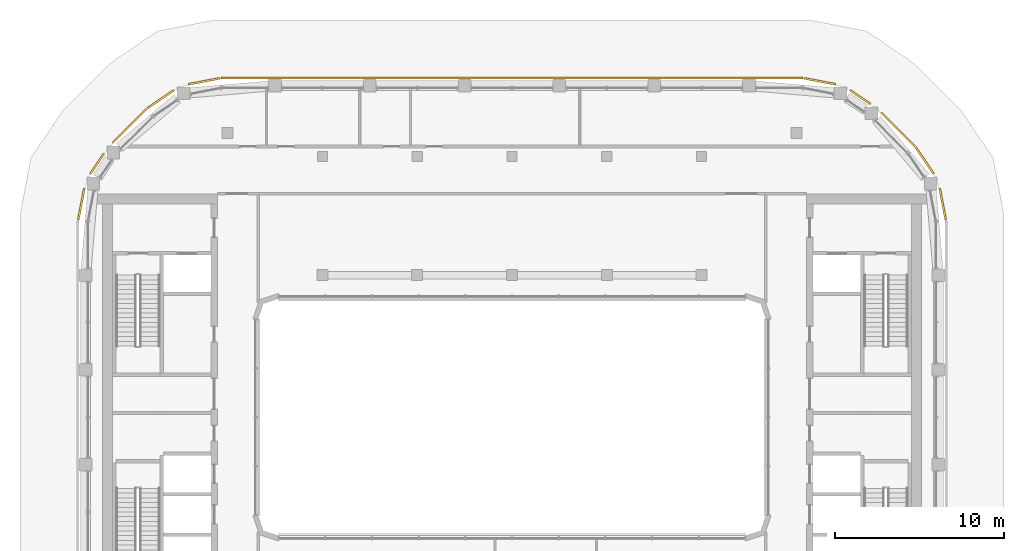
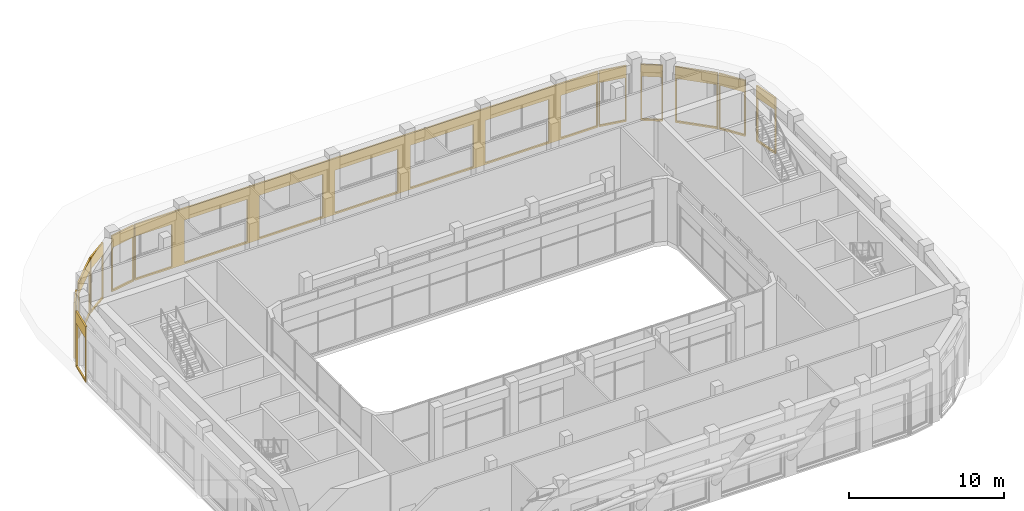
# One storey, part 24 of 24: 11 coverings.
"""IFC4 building model written with IfcOpenShell, lengths in metres."""

from ifc_helpers import new_model, si_unit, direction, frame, origin, place, context, subcontext, project, spatial, polyline, outline, extrude, material, layer, layer_set, type_object, element, save


model = new_model("IFC4")

# Units and contexts
model_context = context("Model", 3, precision=1e-05, world=origin(), true_north=direction((0.0, 1.0)))
body_context = subcontext(model_context, "Body", "Model", "MODEL_VIEW")
ifc_project = project(units=[si_unit("LENGTHUNIT", "METRE"), si_unit("AREAUNIT", "SQUARE_METRE"), si_unit("VOLUMEUNIT", "CUBIC_METRE"), si_unit("PLANEANGLEUNIT", "RADIAN"), si_unit("MASSUNIT", "GRAM", prefix="KILO")], contexts=[model_context])

# Site, building, storey
site_placement = place(None, origin())
site = spatial("IfcSite", under=ifc_project, at=site_placement, CompositionType="ELEMENT")
building_placement = place(site_placement, origin())
building = spatial("IfcBuilding", under=site, at=building_placement, Name="Kiln Ring Residences", CompositionType="ELEMENT")
storey_placement = place(building_placement, frame((0.0, 0.0, 283.699951171875)))
storey = spatial("IfcBuildingStorey", under=building, at=storey_placement, Name="L74", CompositionType="ELEMENT", Elevation=283.699951171875)

# Coverings
ifc_material = material(Name="Brick masonry, dark clay brick", Category="masonry")
ifc_layer = layer(ifc_material, 0.1201171875)
ifc_layer_set = layer_set([ifc_layer], Name="RAINSCREEN PANEL 120")
covering_type = type_object("IfcCoveringType", Name="RAINSCREEN PANEL 120", PredefinedType="CLADDING", material=ifc_layer_set)
for number, where, z_axis, x_axis, name in (
    (1, (25.627197265625, 11.681396484375, 0.0), (0.0, 0.0, 1.0), (-0.187273123953, 0.982307883021, 0.0), "RAINSCREEN L74"),
    (2, (24.920166015625, 14.3857421875, 0.0), (0.0, 0.0, 1.0), (-0.562075713892, 0.827085782645, 0.0), "RAINSCREEN L74"),
):
    element("IfcCovering", number, at=place(storey_placement, frame(where, z_axis=z_axis, x_axis=x_axis)), inside=storey, type_object=covering_type, Name=name, PredefinedType="CLADDING", context=body_context, shape_type="SweptSolid", body=[
        extrude(outline(polyline([(0.0, 0.0), (1.881103515625, 0.0), (1.881103515625, 4.400146484375), (0.0, 4.400146484375), (0.0, 0.0)]), holes=[polyline([(0.080078125, 3.469970703125), (0.080078125, 0.130126953125), (1.801025390625, 0.130126953125), (1.801025390625, 3.469970703125), (0.080078125, 3.469970703125)])]), frame((0.0, 0.06005859375, 0.0), z_axis=(0.0, -1.0, 0.0), x_axis=(1.0, 0.0, 0.0)), (0.0, 0.0, 1.0), 0.1201171875),
    ])
covering_1_placement = place(storey_placement, frame((23.810546875, 16.004638671875, 0.0), z_axis=(0.0, 0.0, 1.0), x_axis=(-0.707106781187, 0.707106781187, 0.0)))
element("IfcCovering", 3, at=covering_1_placement, inside=storey, type_object=covering_type, Name="RAINSCREEN L74", PredefinedType="CLADDING", context=body_context, shape_type="SweptSolid", body=[
    extrude(outline(polyline([(0.0, 0.0), (2.824951171875, 0.0), (2.824951171875, 4.400146484375), (0.0, 4.400146484375), (0.0, 0.0)]), holes=[polyline([(0.080078125, 3.469970703125), (0.080078125, 0.130126953125), (2.7451171875, 0.130126953125), (2.7451171875, 3.469970703125), (0.080078125, 3.469970703125)])]), frame((0.0, 0.06005859375, 0.0), z_axis=(0.0, -1.0, 0.0), x_axis=(1.0, 0.0, 0.0)), (0.0, 0.0, 1.0), 0.1201171875),
])
covering_2_placement = place(storey_placement, frame((21.166015625, 18.517822265625, 0.0), z_axis=(0.0, 0.0, 1.0), x_axis=(-0.827015589659, 0.562178987923, 0.0)))
element("IfcCovering", 4, at=covering_2_placement, inside=storey, type_object=covering_type, Name="RAINSCREEN L74", PredefinedType="CLADDING", context=body_context, shape_type="SweptSolid", body=[
    extrude(outline(polyline([(0.0, 0.0), (1.427001953125, 0.0), (1.427001953125, 4.400146484375), (0.0, 4.400146484375), (0.0, 0.0)]), holes=[polyline([(0.080078125, 3.469970703125), (0.080078125, 0.130126953125), (1.34716796875, 0.130126953125), (1.34716796875, 3.469970703125), (0.080078125, 3.469970703125)])]), frame((0.0, 0.06005859375, 0.0), z_axis=(0.0, -1.0, 0.0), x_axis=(1.0, 0.0, 0.0)), (0.0, 0.0, 1.0), 0.1201171875),
])
covering_3_placement = place(storey_placement, frame((19.12939453125, 19.6748046875, 0.0), z_axis=(0.0, 0.0, 1.0), x_axis=(-0.982284001233, 0.187398348234, 0.0)))
element("IfcCovering", 5, at=covering_3_placement, inside=storey, type_object=covering_type, Name="RAINSCREEN L74", PredefinedType="CLADDING", context=body_context, shape_type="SweptSolid", body=[
    extrude(outline(polyline([(0.0, 0.0), (1.881103515625, 0.0), (1.881103515625, 4.400146484375), (0.0, 4.400146484375), (0.0, 0.0)]), holes=[polyline([(0.080078125, 3.469970703125), (0.080078125, 0.130126953125), (1.801025390625, 0.130126953125), (1.801025390625, 3.469970703125), (0.080078125, 3.469970703125)])]), frame((0.0, 0.06005859375, 0.0), z_axis=(0.0, -1.0, 0.0), x_axis=(1.0, 0.0, 0.0)), (0.0, 0.0, 1.0), 0.1201171875),
])
covering_4_placement = place(storey_placement, frame((17.199951171875, 20.034912109375, 0.0), z_axis=(0.0, 0.0, 1.0), x_axis=(-1.0, 0.0, 0.0)))
element("IfcCovering", 6, at=covering_4_placement, inside=storey, type_object=covering_type, Name="RAINSCREEN L74", PredefinedType="CLADDING", context=body_context, shape_type="SweptSolid", body=[
    extrude(outline(polyline([(0.0, 0.0), (34.39990234375, 0.0), (34.39990234375, 4.400146484375), (0.0, 4.400146484375), (0.0, 0.0)]), holes=[polyline([(2.7451171875, 0.130126953125), (2.7451171875, 3.469970703125), (0.080078125, 3.469970703125), (0.080078125, 0.130126953125), (2.7451171875, 0.130126953125)]), polyline([(3.655029296875, 0.130126953125), (8.344970703125, 0.130126953125), (8.344970703125, 3.469970703125), (3.655029296875, 3.469970703125), (3.655029296875, 0.130126953125)]), polyline([(9.2548828125, 0.130126953125), (13.945068359375, 0.130126953125), (13.945068359375, 3.469970703125), (9.2548828125, 3.469970703125), (9.2548828125, 0.130126953125)]), polyline([(14.85498046875, 0.130126953125), (19.544921875, 0.130126953125), (19.544921875, 3.469970703125), (14.85498046875, 3.469970703125), (14.85498046875, 0.130126953125)]), polyline([(20.455078125, 0.130126953125), (25.14501953125, 0.130126953125), (25.14501953125, 3.469970703125), (20.455078125, 3.469970703125), (20.455078125, 0.130126953125)]), polyline([(26.054931640625, 0.130126953125), (30.7451171875, 0.130126953125), (30.7451171875, 3.469970703125), (26.054931640625, 3.469970703125), (26.054931640625, 0.130126953125)]), polyline([(31.655029296875, 0.130126953125), (34.320068359375, 0.130126953125), (34.320068359375, 3.469970703125), (31.655029296875, 3.469970703125), (31.655029296875, 0.130126953125)])]), frame((0.0, 0.06005859375, 0.0), z_axis=(0.0, -1.0, 0.0), x_axis=(1.0, 0.0, 0.0)), (0.0, 0.0, 1.0), 0.1201171875),
])
for number, where, z_axis, x_axis, name in (
    (7, (-17.281494140625, 20.02734375, 0.0), (0.0, 0.0, 1.0), (-0.982284001233, -0.187398348234, 0.0), "RAINSCREEN L74"),
    (8, (-19.98583984375, 19.320068359375, 0.0), (0.0, 0.0, 1.0), (-0.82704477487, -0.562136051469, 0.0), "RAINSCREEN L74"),
):
    element("IfcCovering", number, at=place(storey_placement, frame(where, z_axis=z_axis, x_axis=x_axis)), inside=storey, type_object=covering_type, Name=name, PredefinedType="CLADDING", context=body_context, shape_type="SweptSolid", body=[
        extrude(outline(polyline([(0.0, 0.0), (1.881103515625, 0.0), (1.881103515625, 4.400146484375), (0.0, 4.400146484375), (0.0, 0.0)]), holes=[polyline([(0.080078125, 3.469970703125), (0.080078125, 0.130126953125), (1.801025390625, 0.130126953125), (1.801025390625, 3.469970703125), (0.080078125, 3.469970703125)])]), frame((0.0, 0.06005859375, 0.0), z_axis=(0.0, -1.0, 0.0), x_axis=(1.0, 0.0, 0.0)), (0.0, 0.0, 1.0), 0.1201171875),
    ])
covering_5_placement = place(storey_placement, frame((-21.604736328125, 18.21044921875, 0.0), z_axis=(0.0, 0.0, 1.0), x_axis=(-0.707106781187, -0.707106781187, 0.0)))
element("IfcCovering", 9, at=covering_5_placement, inside=storey, type_object=covering_type, Name="RAINSCREEN L74", PredefinedType="CLADDING", context=body_context, shape_type="SweptSolid", body=[
    extrude(outline(polyline([(0.0, 0.0), (2.824951171875, 0.0), (2.824951171875, 4.400146484375), (0.0, 4.400146484375), (0.0, 0.0)]), holes=[polyline([(0.080078125, 3.469970703125), (0.080078125, 0.130126953125), (2.7451171875, 0.130126953125), (2.7451171875, 3.469970703125), (0.080078125, 3.469970703125)])]), frame((0.0, 0.06005859375, 0.0), z_axis=(0.0, -1.0, 0.0), x_axis=(1.0, 0.0, 0.0)), (0.0, 0.0, 1.0), 0.1201171875),
])
covering_6_placement = place(storey_placement, frame((-24.117919921875, 15.566162109375, 0.0), z_axis=(0.0, 0.0, 1.0), x_axis=(-0.562099454787, -0.827069648173, 0.0)))
element("IfcCovering", 10, at=covering_6_placement, inside=storey, type_object=covering_type, Name="RAINSCREEN L74", PredefinedType="CLADDING", context=body_context, shape_type="SweptSolid", body=[
    extrude(outline(polyline([(0.0, 0.0), (1.427001953125, 0.0), (1.427001953125, 4.400146484375), (0.0, 4.400146484375), (0.0, 0.0)]), holes=[polyline([(0.080078125, 3.469970703125), (0.080078125, 0.130126953125), (1.34716796875, 0.130126953125), (1.34716796875, 3.469970703125), (0.080078125, 3.469970703125)])]), frame((0.0, 0.06005859375, 0.0), z_axis=(0.0, -1.0, 0.0), x_axis=(1.0, 0.0, 0.0)), (0.0, 0.0, 1.0), 0.1201171875),
])
covering_7_placement = place(storey_placement, frame((-25.27490234375, 13.529296875, 0.0), z_axis=(0.0, 0.0, 1.0), x_axis=(-0.187273123953, -0.982307883021, 0.0)))
element("IfcCovering", 11, at=covering_7_placement, inside=storey, type_object=covering_type, Name="RAINSCREEN L74", PredefinedType="CLADDING", context=body_context, shape_type="SweptSolid", body=[
    extrude(outline(polyline([(0.0, 0.0), (1.881103515625, 0.0), (1.881103515625, 4.400146484375), (0.0, 4.400146484375), (0.0, 0.0)]), holes=[polyline([(0.080078125, 3.469970703125), (0.080078125, 0.130126953125), (1.801025390625, 0.130126953125), (1.801025390625, 3.469970703125), (0.080078125, 3.469970703125)])]), frame((0.0, 0.06005859375, 0.0), z_axis=(0.0, -1.0, 0.0), x_axis=(1.0, 0.0, 0.0)), (0.0, 0.0, 1.0), 0.1201171875),
])

save(model, "model.ifc")
